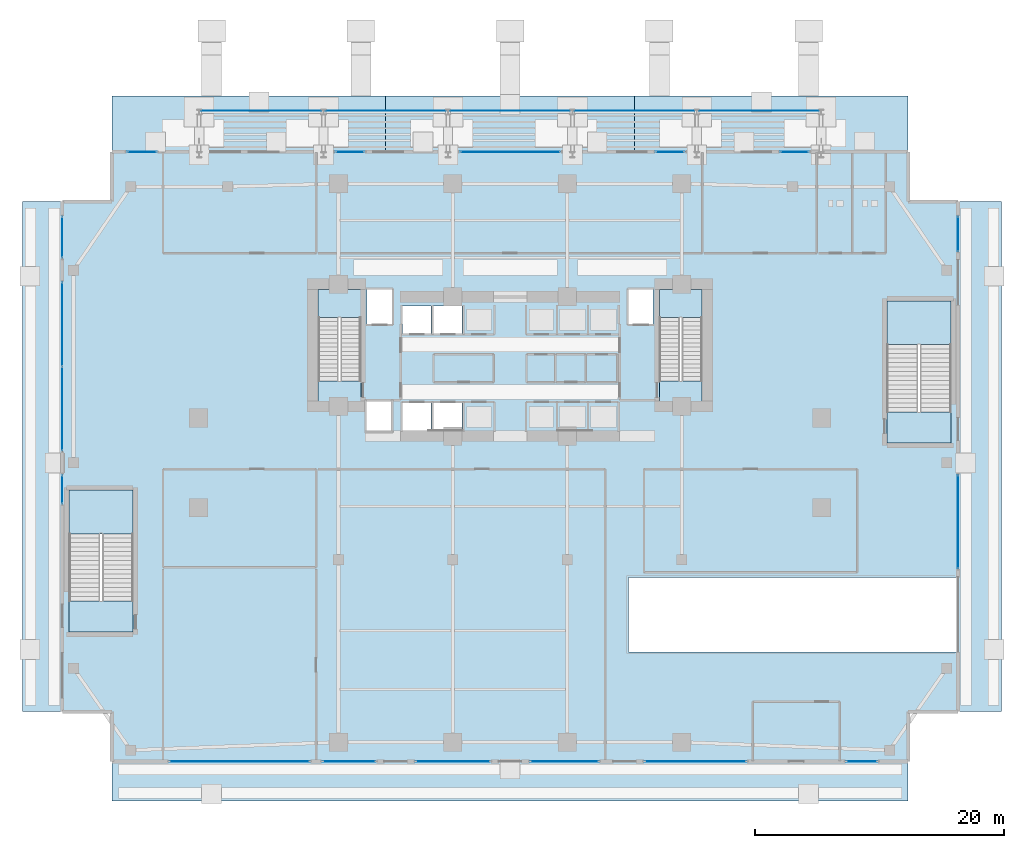
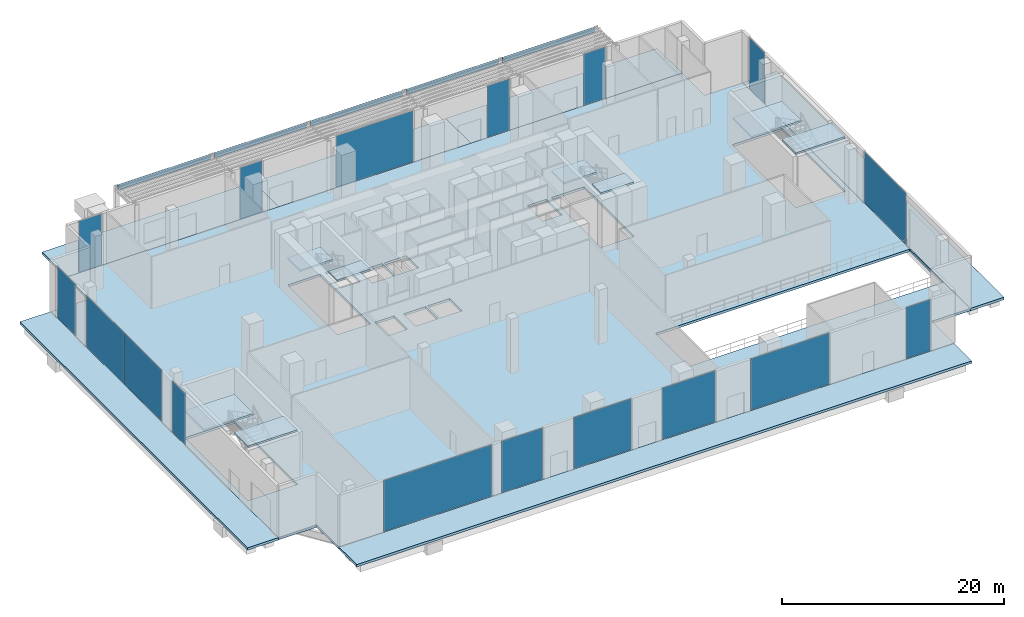
# One storey, part 25 of 39: 22 plates, 15 slabs, 20 elements without a shape of their own.
"""IFC4 building model written with IfcOpenShell, lengths in metres."""

from ifc_helpers import new_model, si_unit, direction, frame, origin, origin_2d, place, context, subcontext, project, spatial, polyline, rectangle, outline, extrude, material, layer, layer_set, type_object, element, aggregate, save


model = new_model("IFC4")

# Units and contexts
model_context = context("Model", 3, precision=1e-05, world=origin(), true_north=direction((0.0, 1.0)))
body_context = subcontext(model_context, "Body", "Model", "MODEL_VIEW")
ifc_project = project(units=[si_unit("LENGTHUNIT", "METRE"), si_unit("AREAUNIT", "SQUARE_METRE"), si_unit("VOLUMEUNIT", "CUBIC_METRE"), si_unit("PLANEANGLEUNIT", "RADIAN"), si_unit("MASSUNIT", "GRAM", prefix="KILO")], contexts=[model_context])

# Site, building, storey
site_placement = place(None, origin())
site = spatial("IfcSite", under=ifc_project, at=site_placement, CompositionType="ELEMENT")
building_placement = place(site_placement, origin())
building = spatial("IfcBuilding", under=site, at=building_placement, Name="Zuhayl Quay Hotel", CompositionType="ELEMENT")
storey_placement = place(building_placement, origin())
storey = spatial("IfcBuildingStorey", under=building, at=storey_placement, Name="L00", CompositionType="ELEMENT", Elevation=0.0)

# Curtain wall, plate
ifc_material_1 = material(Name="Anodised Aluminium 6063-T6", Category="aluminium")
ifc_layer_1 = layer(ifc_material_1, 0.199951171875, Name="Anodised Aluminium 6063-T6", Category="aluminium")
ifc_layer_set_1 = layer_set([ifc_layer_1], Name="Anodised Aluminium 6063-T6")
curtain_wall_type = type_object("IfcCurtainWallType", Name="CW_SYS_POD", PredefinedType="USERDEFINED", material=ifc_layer_set_1)
curtain_wall_1_placement = place(storey_placement, origin())
curtain_wall_1 = element("IfcCurtainWall", 1, at=curtain_wall_1_placement, inside=storey, type_object=curtain_wall_type, Name="L00 Curtain Wall ENV_L00_E02_CW1", ObjectType="UNITISED CURTAIN WALL", PredefinedType="USERDEFINED")
ifc_material_2 = material(Name="Low-E Insulated Clear Vision Glass", Category="glass")
ifc_layer_2 = layer(ifc_material_2, 0.031982421875, Name="Low-E Insulated Clear Vision Glass", Category="glass")
ifc_layer_set_2 = layer_set([ifc_layer_2], Name="Low-E Insulated Clear Vision Glass")
plate_type_1 = type_object("IfcPlateType", Name="PN_POD_VISION", PredefinedType="CURTAIN_PANEL", material=ifc_layer_set_2)
plate_1_placement = place(storey_placement, frame((-36.0, -2.135009765625, 0.06005859375), z_axis=(0.0, 0.0, 1.0), x_axis=(0.0, 1.0, 0.0)))
plate_1 = element("IfcPlate", 2, at=plate_1_placement, type_object=plate_type_1, Name="CW-POD panel 1.1", PredefinedType="CURTAIN_PANEL", context=body_context, shape_type="SweptSolid", body=[
    extrude(rectangle(XDim=2.280029296875, YDim=0.031982421875, at=origin_2d()), origin(), (0.0, 0.0, 1.0), 5.6298828125),
])
aggregate(curtain_wall_1, [plate_1])

# Curtain wall, plates
curtain_wall_2_placement = place(storey_placement, origin())
curtain_wall_2 = element("IfcCurtainWall", 3, at=curtain_wall_2_placement, inside=storey, type_object=curtain_wall_type, Name="L00 Curtain Wall ENV_L00_E02_CW2", ObjectType="UNITISED CURTAIN WALL", PredefinedType="USERDEFINED")
plate_2_placement = place(storey_placement, frame((-36.0, 4.353759765625, 0.06005859375), z_axis=(0.0, 0.0, 1.0), x_axis=(0.0, 1.0, 0.0)))
plate_2 = element("IfcPlate", 4, at=plate_2_placement, type_object=plate_type_1, Name="CW-POD panel 1.1", PredefinedType="CURTAIN_PANEL", context=body_context, shape_type="SweptSolid", body=[
    extrude(rectangle(XDim=6.717529296875, YDim=0.031982421875, at=origin_2d()), origin(), (0.0, 0.0, 1.0), 5.6298828125),
])
plate_3_placement = place(storey_placement, frame((-36.0, 11.146240234375, 0.06005859375), z_axis=(0.0, 0.0, 1.0), x_axis=(0.0, 1.0, 0.0)))
plate_3 = element("IfcPlate", 5, at=plate_3_placement, type_object=plate_type_1, Name="CW-POD panel 2.1", PredefinedType="CURTAIN_PANEL", context=body_context, shape_type="SweptSolid", body=[
    extrude(rectangle(XDim=6.717529296875, YDim=0.031982421875, at=origin_2d()), origin(), (0.0, 0.0, 1.0), 5.6298828125),
])
aggregate(curtain_wall_2, [plate_2, plate_3])

# Curtain wall, plate
curtain_wall_3_placement = place(storey_placement, origin())
curtain_wall_3 = element("IfcCurtainWall", 6, at=curtain_wall_3_placement, inside=storey, type_object=curtain_wall_type, Name="L00 Curtain Wall ENV_L00_E02_CW3", ObjectType="UNITISED CURTAIN WALL", PredefinedType="USERDEFINED")
plate_4_placement = place(storey_placement, frame((-36.0, 18.135009765625, 0.06005859375), z_axis=(0.0, 0.0, 1.0), x_axis=(0.0, 1.0, 0.0)))
plate_4 = element("IfcPlate", 7, at=plate_4_placement, type_object=plate_type_1, Name="CW-POD panel 1.1", PredefinedType="CURTAIN_PANEL", context=body_context, shape_type="SweptSolid", body=[
    extrude(rectangle(XDim=3.280029296875, YDim=0.031982421875, at=origin_2d()), origin(), (0.0, 0.0, 1.0), 5.6298828125),
])
aggregate(curtain_wall_3, [plate_4])

curtain_wall_4_placement = place(storey_placement, origin())
curtain_wall_4 = element("IfcCurtainWall", 8, at=curtain_wall_4_placement, inside=storey, type_object=curtain_wall_type, Name="L00 Curtain Wall ENV_L00_E05_CW1", ObjectType="UNITISED CURTAIN WALL", PredefinedType="USERDEFINED")
plate_5_placement = place(storey_placement, frame((-29.60009765625, 25.0, 0.06005859375), z_axis=(0.0, 0.0, 1.0), x_axis=(1.0, 0.0, 0.0)))
plate_5 = element("IfcPlate", 9, at=plate_5_placement, type_object=plate_type_1, Name="CW-POD panel 1.1", PredefinedType="CURTAIN_PANEL", context=body_context, shape_type="SweptSolid", body=[
    extrude(rectangle(XDim=2.35009765625, YDim=0.031982421875, at=origin_2d()), origin(), (0.0, 0.0, 1.0), 5.6298828125),
])
aggregate(curtain_wall_4, [plate_5])

curtain_wall_5_placement = place(storey_placement, origin())
curtain_wall_5 = element("IfcCurtainWall", 10, at=curtain_wall_5_placement, inside=storey, type_object=curtain_wall_type, Name="L00 Curtain Wall ENV_L00_E05_CW2", ObjectType="UNITISED CURTAIN WALL", PredefinedType="USERDEFINED")
plate_6_placement = place(storey_placement, frame((-12.864990234375, 25.0, 0.06005859375), z_axis=(0.0, 0.0, 1.0), x_axis=(1.0, 0.0, 0.0)))
plate_6 = element("IfcPlate", 11, at=plate_6_placement, type_object=plate_type_1, Name="CW-POD panel 1.1", PredefinedType="CURTAIN_PANEL", context=body_context, shape_type="SweptSolid", body=[
    extrude(rectangle(XDim=2.280029296875, YDim=0.031982421875, at=origin_2d()), origin(), (0.0, 0.0, 1.0), 5.6298828125),
])
aggregate(curtain_wall_5, [plate_6])

curtain_wall_6_placement = place(storey_placement, origin())
curtain_wall_6 = element("IfcCurtainWall", 12, at=curtain_wall_6_placement, inside=storey, type_object=curtain_wall_type, Name="L00 Curtain Wall ENV_L00_E05_CW3", ObjectType="UNITISED CURTAIN WALL", PredefinedType="USERDEFINED")
plate_7_placement = place(storey_placement, frame((0.0, 25.0, 0.06005859375), z_axis=(0.0, 0.0, 1.0), x_axis=(1.0, 0.0, 0.0)))
plate_7 = element("IfcPlate", 13, at=plate_7_placement, type_object=plate_type_1, Name="CW-POD panel 1.1", PredefinedType="CURTAIN_PANEL", context=body_context, shape_type="SweptSolid", body=[
    extrude(rectangle(XDim=8.010009765625, YDim=0.031982421875, at=origin_2d()), origin(), (0.0, 0.0, 1.0), 5.6298828125),
])
aggregate(curtain_wall_6, [plate_7])

curtain_wall_7_placement = place(storey_placement, origin())
curtain_wall_7 = element("IfcCurtainWall", 14, at=curtain_wall_7_placement, inside=storey, type_object=curtain_wall_type, Name="L00 Curtain Wall ENV_L00_E05_CW4", ObjectType="UNITISED CURTAIN WALL", PredefinedType="USERDEFINED")
plate_8_placement = place(storey_placement, frame((12.864990234375, 25.0, 0.06005859375), z_axis=(0.0, 0.0, 1.0), x_axis=(1.0, 0.0, 0.0)))
plate_8 = element("IfcPlate", 15, at=plate_8_placement, type_object=plate_type_1, Name="CW-POD panel 1.1", PredefinedType="CURTAIN_PANEL", context=body_context, shape_type="SweptSolid", body=[
    extrude(rectangle(XDim=2.280029296875, YDim=0.031982421875, at=origin_2d()), origin(), (0.0, 0.0, 1.0), 5.6298828125),
])
aggregate(curtain_wall_7, [plate_8])

curtain_wall_8_placement = place(storey_placement, origin())
curtain_wall_8 = element("IfcCurtainWall", 16, at=curtain_wall_8_placement, inside=storey, type_object=curtain_wall_type, Name="L00 Curtain Wall ENV_L00_E05_CW5", ObjectType="UNITISED CURTAIN WALL", PredefinedType="USERDEFINED")
plate_9_placement = place(storey_placement, frame((22.864990234375, 25.0, 0.06005859375), z_axis=(0.0, 0.0, 1.0), x_axis=(1.0, 0.0, 0.0)))
plate_9 = element("IfcPlate", 17, at=plate_9_placement, type_object=plate_type_1, Name="CW-POD panel 1.1", PredefinedType="CURTAIN_PANEL", context=body_context, shape_type="SweptSolid", body=[
    extrude(rectangle(XDim=2.280029296875, YDim=0.031982421875, at=origin_2d()), origin(), (0.0, 0.0, 1.0), 5.6298828125),
])
aggregate(curtain_wall_8, [plate_9])

curtain_wall_9_placement = place(storey_placement, origin())
curtain_wall_9 = element("IfcCurtainWall", 18, at=curtain_wall_9_placement, inside=storey, type_object=curtain_wall_type, Name="L00 Curtain Wall ENV_L00_E08_CW1", ObjectType="UNITISED CURTAIN WALL", PredefinedType="USERDEFINED")
plate_10_placement = place(storey_placement, frame((36.0, 18.39990234375, 0.06005859375), z_axis=(0.0, 0.0, 1.0), x_axis=(0.0, -1.0, 0.0)))
plate_10 = element("IfcPlate", 19, at=plate_10_placement, type_object=plate_type_1, Name="CW-POD panel 1.1", PredefinedType="CURTAIN_PANEL", context=body_context, shape_type="SweptSolid", body=[
    extrude(rectangle(XDim=2.75, YDim=0.031982421875, at=origin_2d()), origin(), (0.0, 0.0, 1.0), 5.6298828125),
])
aggregate(curtain_wall_9, [plate_10])

curtain_wall_10_placement = place(storey_placement, origin())
curtain_wall_10 = element("IfcCurtainWall", 20, at=curtain_wall_10_placement, inside=storey, type_object=curtain_wall_type, Name="L00 Curtain Wall ENV_L00_E08_CW2", ObjectType="UNITISED CURTAIN WALL", PredefinedType="USERDEFINED")
plate_11_placement = place(storey_placement, frame((36.0, -4.735107421875, 0.06005859375), z_axis=(0.0, 0.0, 1.0), x_axis=(0.0, -1.0, 0.0)))
plate_11 = element("IfcPlate", 21, at=plate_11_placement, type_object=plate_type_1, Name="CW-POD panel 1.1", PredefinedType="CURTAIN_PANEL", context=body_context, shape_type="SweptSolid", body=[
    extrude(rectangle(XDim=7.47998046875, YDim=0.031982421875, at=origin_2d()), origin(), (0.0, 0.0, 1.0), 5.6298828125),
])
aggregate(curtain_wall_10, [plate_11])

curtain_wall_11_placement = place(storey_placement, origin())
curtain_wall_11 = element("IfcCurtainWall", 22, at=curtain_wall_11_placement, inside=storey, type_object=curtain_wall_type, Name="L00 Curtain Wall ENV_L00_E11_CW1", ObjectType="UNITISED CURTAIN WALL", PredefinedType="USERDEFINED")
plate_12_placement = place(storey_placement, frame((28.264892578125, -24.0, 0.06005859375), z_axis=(0.0, 0.0, 1.0), x_axis=(-1.0, 0.0, 0.0)))
plate_12 = element("IfcPlate", 23, at=plate_12_placement, type_object=plate_type_1, Name="CW-POD panel 1.1", PredefinedType="CURTAIN_PANEL", context=body_context, shape_type="SweptSolid", body=[
    extrude(rectangle(XDim=2.47998046875, YDim=0.031982421875, at=origin_2d()), origin(), (0.0, 0.0, 1.0), 5.6298828125),
])
aggregate(curtain_wall_11, [plate_12])

curtain_wall_12_placement = place(storey_placement, origin())
curtain_wall_12 = element("IfcCurtainWall", 24, at=curtain_wall_12_placement, inside=storey, type_object=curtain_wall_type, Name="L00 Curtain Wall ENV_L00_E11_CW2", ObjectType="UNITISED CURTAIN WALL", PredefinedType="USERDEFINED")
plate_13_placement = place(storey_placement, frame((14.89990234375, -24.0, 0.06005859375), z_axis=(0.0, 0.0, 1.0), x_axis=(-1.0, 0.0, 0.0)))
plate_13 = element("IfcPlate", 25, at=plate_13_placement, type_object=plate_type_1, Name="CW-POD panel 1.1", PredefinedType="CURTAIN_PANEL", context=body_context, shape_type="SweptSolid", body=[
    extrude(rectangle(XDim=8.14990234375, YDim=0.031982421875, at=origin_2d()), origin(), (0.0, 0.0, 1.0), 5.6298828125),
])
aggregate(curtain_wall_12, [plate_13])

curtain_wall_13_placement = place(storey_placement, origin())
curtain_wall_13 = element("IfcCurtainWall", 26, at=curtain_wall_13_placement, inside=storey, type_object=curtain_wall_type, Name="L00 Curtain Wall ENV_L00_E11_CW3", ObjectType="UNITISED CURTAIN WALL", PredefinedType="USERDEFINED")
plate_14_placement = place(storey_placement, frame((4.3701171875, -24.0, 0.06005859375), z_axis=(0.0, 0.0, 1.0), x_axis=(-1.0, 0.0, 0.0)))
plate_14 = element("IfcPlate", 27, at=plate_14_placement, type_object=plate_type_1, Name="CW-POD panel 1.1", PredefinedType="CURTAIN_PANEL", context=body_context, shape_type="SweptSolid", body=[
    extrude(rectangle(XDim=5.489990234375, YDim=0.031982421875, at=origin_2d()), origin(), (0.0, 0.0, 1.0), 5.6298828125),
])
aggregate(curtain_wall_13, [plate_14])

curtain_wall_14_placement = place(storey_placement, origin())
curtain_wall_14 = element("IfcCurtainWall", 28, at=curtain_wall_14_placement, inside=storey, type_object=curtain_wall_type, Name="L00 Curtain Wall ENV_L00_E11_CW4", ObjectType="UNITISED CURTAIN WALL", PredefinedType="USERDEFINED")
plate_15_placement = place(storey_placement, frame((-4.60009765625, -24.0, 0.06005859375), z_axis=(0.0, 0.0, 1.0), x_axis=(-1.0, 0.0, 0.0)))
plate_15 = element("IfcPlate", 29, at=plate_15_placement, type_object=plate_type_1, Name="CW-POD panel 1.1", PredefinedType="CURTAIN_PANEL", context=body_context, shape_type="SweptSolid", body=[
    extrude(rectangle(XDim=5.949951171875, YDim=0.031982421875, at=origin_2d()), origin(), (0.0, 0.0, 1.0), 5.6298828125),
])
aggregate(curtain_wall_14, [plate_15])

curtain_wall_15_placement = place(storey_placement, origin())
curtain_wall_15 = element("IfcCurtainWall", 30, at=curtain_wall_15_placement, inside=storey, type_object=curtain_wall_type, Name="L00 Curtain Wall ENV_L00_E11_CW5", ObjectType="UNITISED CURTAIN WALL", PredefinedType="USERDEFINED")
plate_16_placement = place(storey_placement, frame((-12.949951171875, -24.0, 0.06005859375), z_axis=(0.0, 0.0, 1.0), x_axis=(-1.0, 0.0, 0.0)))
plate_16 = element("IfcPlate", 31, at=plate_16_placement, type_object=plate_type_1, Name="CW-POD panel 1.1", PredefinedType="CURTAIN_PANEL", context=body_context, shape_type="SweptSolid", body=[
    extrude(rectangle(XDim=4.25, YDim=0.031982421875, at=origin_2d()), origin(), (0.0, 0.0, 1.0), 5.6298828125),
])
aggregate(curtain_wall_15, [plate_16])

curtain_wall_16_placement = place(storey_placement, origin())
curtain_wall_16 = element("IfcCurtainWall", 32, at=curtain_wall_16_placement, inside=storey, type_object=curtain_wall_type, Name="L00 Curtain Wall ENV_L00_E11_CW6", ObjectType="UNITISED CURTAIN WALL", PredefinedType="USERDEFINED")
plate_17_placement = place(storey_placement, frame((-21.75, -24.0, 0.06005859375), z_axis=(0.0, 0.0, 1.0), x_axis=(-1.0, 0.0, 0.0)))
plate_17 = element("IfcPlate", 33, at=plate_17_placement, type_object=plate_type_1, Name="CW-POD panel 1.1", PredefinedType="CURTAIN_PANEL", context=body_context, shape_type="SweptSolid", body=[
    extrude(rectangle(XDim=11.25, YDim=0.031982421875, at=origin_2d()), origin(), (0.0, 0.0, 1.0), 5.6298828125),
])
aggregate(curtain_wall_16, [plate_17])

# Slabs
ifc_material_3 = material(Name="Concrete C45/55", Category="concrete")
ifc_layer_3 = layer(ifc_material_3, 0.27001953125, Name="Concrete C45/55", Category="concrete")
ifc_layer_set_3 = layer_set([ifc_layer_3], Name="Concrete C45/55")
slab_type_1 = type_object("IfcSlabType", Name="SL_APRON_270", PredefinedType="BASESLAB", material=ifc_layer_set_3)
slab_1_placement = place(storey_placement, frame((0.0, 0.0, -0.27001953125)))
element("IfcSlab", 34, at=slab_1_placement, inside=storey, type_object=slab_type_1, Name="L00 Outdoor Promenade Driveway Apron APR_N_W", PredefinedType="BASESLAB", context=body_context, shape_type="SweptSolid", body=[
    extrude(outline(polyline([(-32.0, 25.0), (-10.0, 25.0), (-10.0, 29.5), (-32.0, 29.5), (-32.0, 25.0)])), origin(), (0.0, 0.0, 1.0), 0.27001953125),
])
slab_2_placement = place(storey_placement, frame((0.0, 0.0, -0.27001953125)))
element("IfcSlab", 35, at=slab_2_placement, inside=storey, type_object=slab_type_1, Name="L00 Outdoor Promenade Driveway Apron APR_N_C", PredefinedType="BASESLAB", context=body_context, shape_type="SweptSolid", body=[
    extrude(outline(polyline([(-10.0, 25.0), (10.0, 25.0), (10.0, 29.5), (-10.0, 29.5), (-10.0, 25.0)])), origin(), (0.0, 0.0, 1.0), 0.27001953125),
])
slab_3_placement = place(storey_placement, frame((0.0, 0.0, -0.27001953125)))
element("IfcSlab", 36, at=slab_3_placement, inside=storey, type_object=slab_type_1, Name="L00 Outdoor Promenade Driveway Apron APR_N_E", PredefinedType="BASESLAB", context=body_context, shape_type="SweptSolid", body=[
    extrude(outline(polyline([(10.0, 25.0), (32.0, 25.0), (32.0, 29.5), (10.0, 29.5), (10.0, 25.0)])), origin(), (0.0, 0.0, 1.0), 0.27001953125),
])
slab_4_placement = place(storey_placement, frame((0.0, 0.0, -0.27001953125)))
element("IfcSlab", 37, at=slab_4_placement, inside=storey, type_object=slab_type_1, Name="L00 Outdoor Promenade Driveway Apron APR_S", PredefinedType="BASESLAB", context=body_context, shape_type="SweptSolid", body=[
    extrude(outline(polyline([(-32.0, -27.199951171875), (32.0, -27.199951171875), (32.0, -24.0), (-32.0, -24.0), (-32.0, -27.199951171875)])), origin(), (0.0, 0.0, 1.0), 0.27001953125),
])
slab_5_placement = place(storey_placement, frame((0.0, 0.0, -0.27001953125)))
element("IfcSlab", 38, at=slab_5_placement, inside=storey, type_object=slab_type_1, Name="L00 Outdoor Promenade Driveway Apron APR_W", PredefinedType="BASESLAB", context=body_context, shape_type="SweptSolid", body=[
    extrude(outline(polyline([(-39.199951171875, -20.0), (-36.0, -20.0), (-36.0, 21.0), (-39.199951171875, 21.0), (-39.199951171875, -20.0)])), origin(), (0.0, 0.0, 1.0), 0.27001953125),
])
slab_6_placement = place(storey_placement, frame((0.0, 0.0, -0.27001953125)))
element("IfcSlab", 39, at=slab_6_placement, inside=storey, type_object=slab_type_1, Name="L00 Outdoor Promenade Driveway Apron APR_E", PredefinedType="BASESLAB", context=body_context, shape_type="SweptSolid", body=[
    extrude(outline(polyline([(36.0, -20.0), (39.5, -20.0), (39.5, 21.0), (36.0, 21.0), (36.0, -20.0)])), origin(), (0.0, 0.0, 1.0), 0.27001953125),
])
ifc_layer_4 = layer(ifc_material_3, 0.260009765625, Name="Concrete C45/55", Category="concrete")
ifc_layer_set_4 = layer_set([ifc_layer_4], Name="Concrete C45/55")
slab_type_2 = type_object("IfcSlabType", Name="SL_FLOOR_260", PredefinedType="FLOOR", material=ifc_layer_set_4)
slab_7_placement = place(storey_placement, frame((0.0, 0.0, -0.260009765625)))
element("IfcSlab", 40, at=slab_7_placement, inside=storey, type_object=slab_type_2, Name="L00 Structural Floor Slab", PredefinedType="FLOOR", context=body_context, shape_type="SweptSolid", body=[
    extrude(outline(polyline([(-32.0, -24.0), (32.0, -24.0), (32.0, -20.0), (36.0, -20.0), (36.0, 21.0), (32.0, 21.0), (32.0, 25.0), (-32.0, 25.0), (-32.0, 21.0), (-36.0, 21.0), (-36.0, -20.0), (-32.0, -20.0), (-32.0, -24.0)]), holes=[polyline([(-12.0, 4.949951171875), (-12.0, 13.949951171875), (-15.429931640625, 13.949951171875), (-15.429931640625, 4.949951171875), (-12.0, 4.949951171875)]), polyline([(15.429931640625, 4.949951171875), (15.429931640625, 13.949951171875), (12.0, 13.949951171875), (12.0, 4.949951171875), (15.429931640625, 4.949951171875)]), polyline([(-30.300048828125, -13.60009765625), (-30.300048828125, -2.199951171875), (-35.449951171875, -2.199951171875), (-35.449951171875, -13.60009765625), (-30.300048828125, -13.60009765625)]), polyline([(35.449951171875, 1.60009765625), (35.449951171875, 13.0), (30.300048828125, 13.0), (30.300048828125, 1.60009765625), (35.449951171875, 1.60009765625)]), polyline([(-11.5, 11.14990234375), (-9.5, 11.14990234375), (-9.5, 13.949951171875), (-11.5, 13.949951171875), (-11.5, 11.14990234375)]), polyline([(9.5, 11.14990234375), (11.5, 11.14990234375), (11.5, 13.949951171875), (9.5, 13.949951171875), (9.5, 11.14990234375)]), polyline([(-8.64990234375, 2.60009765625), (-6.35009765625, 2.60009765625), (-6.35009765625, 4.800048828125), (-8.64990234375, 4.800048828125), (-8.64990234375, 2.60009765625)]), polyline([(-6.14990234375, 2.60009765625), (-3.85009765625, 2.60009765625), (-3.85009765625, 4.800048828125), (-6.14990234375, 4.800048828125), (-6.14990234375, 2.60009765625)]), polyline([(-8.64990234375, 10.39990234375), (-6.35009765625, 10.39990234375), (-6.35009765625, 12.60009765625), (-8.64990234375, 12.60009765625), (-8.64990234375, 10.39990234375)]), polyline([(-6.14990234375, 10.39990234375), (-3.85009765625, 10.39990234375), (-3.85009765625, 12.60009765625), (-6.14990234375, 12.60009765625), (-6.14990234375, 10.39990234375)]), polyline([(-11.550048828125, 2.550048828125), (-9.550048828125, 2.550048828125), (-9.550048828125, 4.949951171875), (-11.550048828125, 4.949951171875), (-11.550048828125, 2.550048828125)]), polyline([(9.5, -15.199951171875), (9.5, -9.199951171875), (35.919921875, -9.199951171875), (35.919921875, -15.199951171875), (9.5, -15.199951171875)])]), origin(), (0.0, 0.0, 1.0), 0.260009765625),
])

# Stair, slabs
stair_type_1 = type_object("IfcStairType", Name="ST_DOGLEG_TOWER", PredefinedType="HALF_TURN_STAIR", material=ifc_material_3)
stair_1_placement = place(storey_placement, origin())
stair_1 = element("IfcStair", 41, at=stair_1_placement, inside=storey, type_object=stair_type_1, Name="L00 Smokeproof Exit Stair ST1", PredefinedType="HALF_TURN_STAIR")
ifc_layer_5 = layer(ifc_material_3, 0.199951171875, Name="Concrete C45/55", Category="concrete")
ifc_layer_set_5 = layer_set([ifc_layer_5], Name="Concrete C45/55")
slab_type_3 = type_object("IfcSlabType", Name="SL_STAIR_LANDING_200", PredefinedType="LANDING", material=ifc_layer_set_5)
slab_8_placement = place(storey_placement, frame((0.0, 0.0, 2.800048828125)))
slab_8 = element("IfcSlab", 42, at=slab_8_placement, type_object=slab_type_3, Name="ST1 landing 1", PredefinedType="LANDING", context=body_context, shape_type="SweptSolid", body=[
    extrude(outline(polyline([(-12.0, 11.68994140625), (-12.0, 13.949951171875), (-15.429931640625, 13.949951171875), (-15.429931640625, 11.68994140625), (-12.0, 11.68994140625)])), origin(), (0.0, 0.0, 1.0), 0.199951171875),
])
slab_9_placement = place(storey_placement, frame((0.0, 0.0, 5.800048828125)))
slab_9 = element("IfcSlab", 43, at=slab_9_placement, type_object=slab_type_3, Name="ST1 landing 2", PredefinedType="LANDING", context=body_context, shape_type="SweptSolid", body=[
    extrude(outline(polyline([(-12.0, 4.949951171875), (-12.0, 6.590087890625), (-15.429931640625, 6.590087890625), (-15.429931640625, 4.949951171875), (-12.0, 4.949951171875)])), origin(), (0.0, 0.0, 1.0), 0.199951171875),
])
aggregate(stair_1, [slab_8, slab_9])

stair_2_placement = place(storey_placement, origin())
stair_2 = element("IfcStair", 44, at=stair_2_placement, inside=storey, type_object=stair_type_1, Name="L00 Smokeproof Exit Stair ST2", PredefinedType="HALF_TURN_STAIR")
slab_10_placement = place(storey_placement, frame((0.0, 0.0, 2.800048828125)))
slab_10 = element("IfcSlab", 45, at=slab_10_placement, type_object=slab_type_3, Name="ST2 landing 1", PredefinedType="LANDING", context=body_context, shape_type="SweptSolid", body=[
    extrude(outline(polyline([(15.429931640625, 11.68994140625), (15.429931640625, 13.949951171875), (12.0, 13.949951171875), (12.0, 11.68994140625), (15.429931640625, 11.68994140625)])), origin(), (0.0, 0.0, 1.0), 0.199951171875),
])
slab_11_placement = place(storey_placement, frame((0.0, 0.0, 5.800048828125)))
slab_11 = element("IfcSlab", 46, at=slab_11_placement, type_object=slab_type_3, Name="ST2 landing 2", PredefinedType="LANDING", context=body_context, shape_type="SweptSolid", body=[
    extrude(outline(polyline([(15.429931640625, 4.949951171875), (15.429931640625, 6.590087890625), (12.0, 6.590087890625), (12.0, 4.949951171875), (15.429931640625, 4.949951171875)])), origin(), (0.0, 0.0, 1.0), 0.199951171875),
])
aggregate(stair_2, [slab_10, slab_11])

stair_type_2 = type_object("IfcStairType", Name="ST_DOGLEG_PODIUM", PredefinedType="HALF_TURN_STAIR", material=ifc_material_3)
stair_3_placement = place(storey_placement, origin())
stair_3 = element("IfcStair", 47, at=stair_3_placement, inside=storey, type_object=stair_type_2, Name="L00 Smokeproof Exit Stair ST3", PredefinedType="HALF_TURN_STAIR")
slab_12_placement = place(storey_placement, frame((0.0, 0.0, 2.800048828125)))
slab_12 = element("IfcSlab", 48, at=slab_12_placement, type_object=slab_type_3, Name="ST3 landing 1", PredefinedType="LANDING", context=body_context, shape_type="SweptSolid", body=[
    extrude(outline(polyline([(-30.300048828125, -5.699951171875), (-30.300048828125, -2.199951171875), (-35.449951171875, -2.199951171875), (-35.449951171875, -5.699951171875), (-30.300048828125, -5.699951171875)])), origin(), (0.0, 0.0, 1.0), 0.199951171875),
])
slab_13_placement = place(storey_placement, frame((0.0, 0.0, 5.800048828125)))
slab_13 = element("IfcSlab", 49, at=slab_13_placement, type_object=slab_type_3, Name="ST3 landing 2", PredefinedType="LANDING", context=body_context, shape_type="SweptSolid", body=[
    extrude(outline(polyline([(-30.300048828125, -13.60009765625), (-30.300048828125, -11.10009765625), (-35.449951171875, -11.10009765625), (-35.449951171875, -13.60009765625), (-30.300048828125, -13.60009765625)])), origin(), (0.0, 0.0, 1.0), 0.199951171875),
])
aggregate(stair_3, [slab_12, slab_13])

stair_4_placement = place(storey_placement, origin())
stair_4 = element("IfcStair", 50, at=stair_4_placement, inside=storey, type_object=stair_type_2, Name="L00 Smokeproof Exit Stair ST4", PredefinedType="HALF_TURN_STAIR")
slab_14_placement = place(storey_placement, frame((0.0, 0.0, 2.800048828125)))
slab_14 = element("IfcSlab", 51, at=slab_14_placement, type_object=slab_type_3, Name="ST4 landing 1", PredefinedType="LANDING", context=body_context, shape_type="SweptSolid", body=[
    extrude(outline(polyline([(35.449951171875, 9.5), (35.449951171875, 13.0), (30.300048828125, 13.0), (30.300048828125, 9.5), (35.449951171875, 9.5)])), origin(), (0.0, 0.0, 1.0), 0.199951171875),
])
slab_15_placement = place(storey_placement, frame((0.0, 0.0, 5.800048828125)))
slab_15 = element("IfcSlab", 52, at=slab_15_placement, type_object=slab_type_3, Name="ST4 landing 2", PredefinedType="LANDING", context=body_context, shape_type="SweptSolid", body=[
    extrude(outline(polyline([(35.449951171875, 1.60009765625), (35.449951171875, 4.10009765625), (30.300048828125, 4.10009765625), (30.300048828125, 1.60009765625), (35.449951171875, 1.60009765625)])), origin(), (0.0, 0.0, 1.0), 0.199951171875),
])
aggregate(stair_4, [slab_14, slab_15])

# Plates
ifc_material_4 = material(Name="Steel ASTM A992 Grade 50", Category="steel")
ifc_layer_6 = layer(ifc_material_4, 0.011962890625, Name="Steel ASTM A992 Grade 50", Category="steel")
ifc_layer_set_6 = layer_set([ifc_layer_6], Name="Steel ASTM A992 Grade 50")
plate_type_2 = type_object("IfcPlateType", Name="TP_CANOPY_SHEET_12", PredefinedType="SHEET", material=ifc_layer_set_6)
for number, where, z_axis, x_axis, name in (
    (53, (-20.0, 28.31005859375, 4.989990234375), (0.0, 0.0, 1.0), (1.0, 0.0, 0.0), "Waterfront Porte-Cochere Fascia Sheet 1"),
    (54, (-10.0, 28.31005859375, 4.989990234375), (0.0, 0.0, 1.0), (1.0, 0.0, 0.0), "Waterfront Porte-Cochere Fascia Sheet 2"),
    (55, (0.0, 28.31005859375, 4.989990234375), (0.0, 0.0, 1.0), (1.0, 0.0, 0.0), "Waterfront Porte-Cochere Fascia Sheet 3"),
    (56, (10.0, 28.31005859375, 4.989990234375), (0.0, 0.0, 1.0), (1.0, 0.0, 0.0), "Waterfront Porte-Cochere Fascia Sheet 4"),
    (57, (20.0, 28.31005859375, 4.989990234375), (0.0, 0.0, 1.0), (1.0, 0.0, 0.0), "Waterfront Porte-Cochere Fascia Sheet 5"),
):
    element("IfcPlate", number, at=place(storey_placement, frame(where, z_axis=z_axis, x_axis=x_axis)), inside=storey, type_object=plate_type_2, Name=name, PredefinedType="SHEET", context=body_context, shape_type="SweptSolid", body=[
        extrude(rectangle(XDim=9.6201171875, YDim=0.011962890625, at=origin_2d()), origin(), (0.0, 0.0, 1.0), 0.6201171875),
    ])

save(model, "model.ifc")
